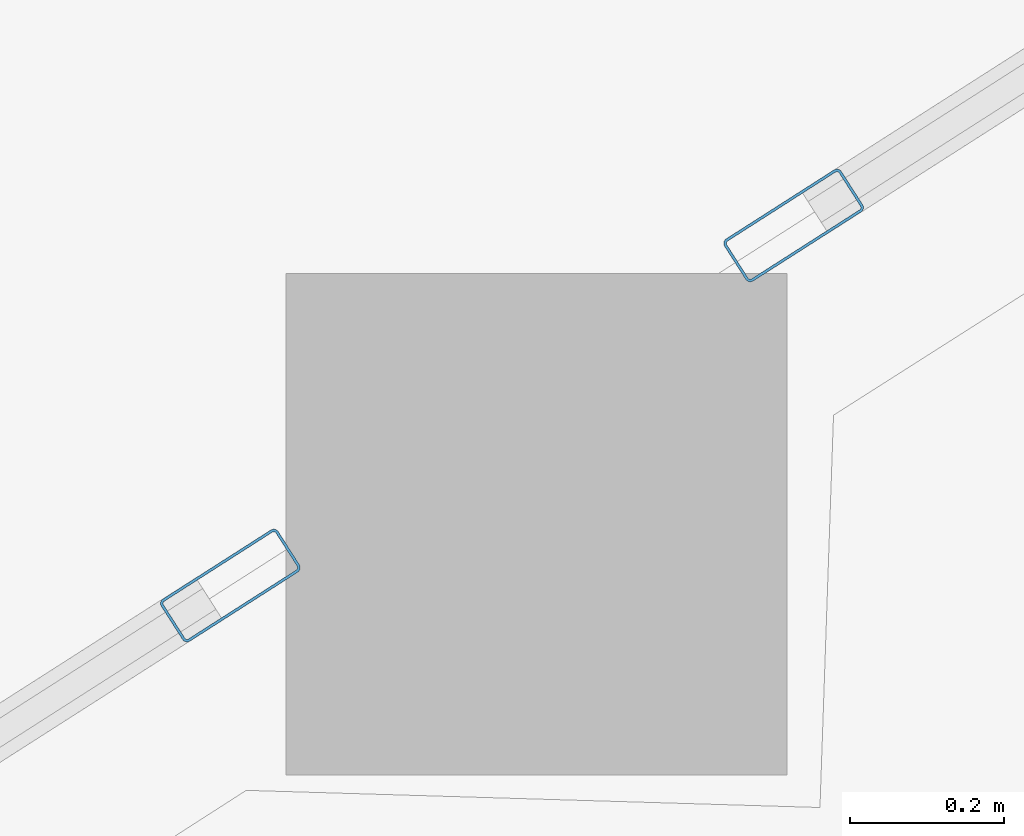
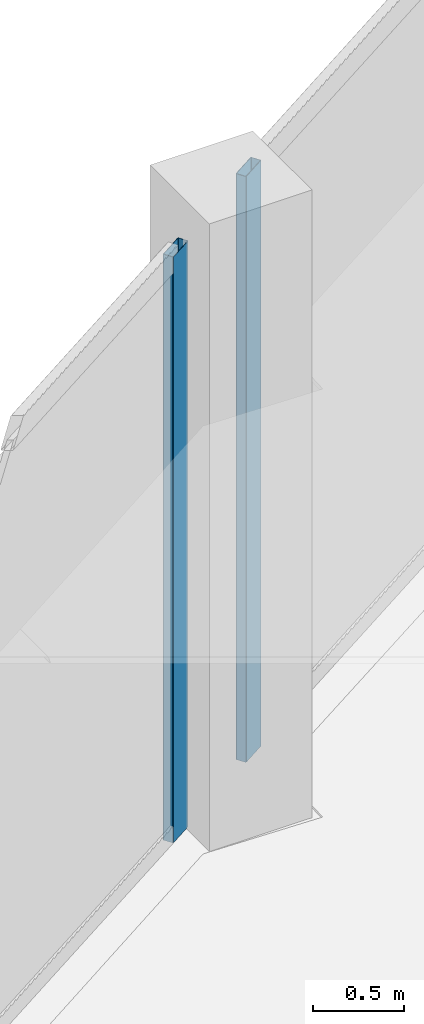
# One storey, part 16 of 44: 2 members, 2 elements without a shape of their own.
"""IFC4 building model written with IfcOpenShell, lengths in metres."""

from ifc_helpers import new_model, si_unit, direction, frame, origin, origin_2d, place, context, subcontext, project, spatial, hollow_rectangle, extrude, material, layer, layer_set, material_profile, profile_set, type_object, element, aggregate, save


model = new_model("IFC4")

# Units and contexts
model_context = context("Model", 3, precision=1e-05, world=origin(), true_north=direction((0.0, 1.0)))
body_context = subcontext(model_context, "Body", "Model", "MODEL_VIEW")
ifc_project = project(units=[si_unit("LENGTHUNIT", "METRE"), si_unit("AREAUNIT", "SQUARE_METRE"), si_unit("VOLUMEUNIT", "CUBIC_METRE"), si_unit("PLANEANGLEUNIT", "RADIAN"), si_unit("MASSUNIT", "GRAM", prefix="KILO")], contexts=[model_context])

# Site, building, storey
site_placement = place(None, origin())
site = spatial("IfcSite", under=ifc_project, at=site_placement, CompositionType="ELEMENT")
building_placement = place(site_placement, origin())
building = spatial("IfcBuilding", under=site, at=building_placement, Name="Qorvath Tower", CompositionType="ELEMENT")
storey_placement = place(building_placement, frame((0.0, 0.0, 45.0)))
storey = spatial("IfcBuildingStorey", under=building, at=storey_placement, Name="L09", CompositionType="ELEMENT", Elevation=45.0)

# Curtain wall, member
ifc_material_1 = material(Name="Anodised aluminium and triple low-E glass", Category="aluminium")
ifc_layer = layer(ifc_material_1, 0.179931640625)
ifc_layer_set = layer_set([ifc_layer], Name="CW-SYS-2")
curtain_wall_type = type_object("IfcCurtainWallType", Name="CW-SYS-2", PredefinedType="NOTDEFINED", material=ifc_layer_set)
curtain_wall_1_placement = place(storey_placement, origin())
curtain_wall_1 = element("IfcCurtainWall", 1, at=curtain_wall_1_placement, inside=storey, type_object=curtain_wall_type, Name="Curtain Wall CW-2 CW-T-L09-16.2", PredefinedType="NOTDEFINED")
ifc_material_2 = material(Name="Anodised aluminium 6063-T6", Category="aluminium")
ifc_material_profile = material_profile(ifc_material_2, hollow_rectangle(XDim=0.06494140625, YDim=0.179931640625, WallThickness=0.00341796875, InnerFilletRadius=0.00341796875, OuterFilletRadius=0.007080078125, at=origin_2d()), Name="CWM 180x65")
ifc_profile_set = profile_set([ifc_material_profile], Name="Anodised aluminium 6063-T6")
member_type = type_object("IfcMemberType", Name="CWM-180", PredefinedType="MULLION", material=ifc_profile_set)
member_1_placement = place(storey_placement, frame((-39.999267578125, 17.34326171875, 0.0), z_axis=(0.0, 0.0, 1.0), x_axis=(0.538541095387, -0.842599245537, 0.0)))
member_1 = element("IfcMember", 2, at=member_1_placement, type_object=member_type, Name="CW-2 mullion 5", PredefinedType="MULLION", context=body_context, shape_type="SweptSolid", body=[
    extrude(hollow_rectangle(XDim=0.06494140625, YDim=0.179931640625, WallThickness=0.00341796875, InnerFilletRadius=0.00341796875, OuterFilletRadius=0.007080078125, at=origin_2d()), origin(), (0.0, 0.0, 1.0), 3.919921875),
])
aggregate(curtain_wall_1, [member_1])

curtain_wall_2_placement = place(storey_placement, origin())
curtain_wall_2 = element("IfcCurtainWall", 3, at=curtain_wall_2_placement, inside=storey, type_object=curtain_wall_type, Name="Curtain Wall CW-2 CW-T-L09-16.3", PredefinedType="NOTDEFINED")
member_2_placement = place(storey_placement, frame((-40.729736328125, 16.876220703125, 0.0), z_axis=(0.0, 0.0, 1.0), x_axis=(0.538531853978, -0.842605152044, 0.0)))
member_2 = element("IfcMember", 4, at=member_2_placement, type_object=member_type, Name="CW-2 mullion 1", PredefinedType="MULLION", context=body_context, shape_type="SweptSolid", body=[
    extrude(hollow_rectangle(XDim=0.06494140625, YDim=0.179931640625, WallThickness=0.00341796875, InnerFilletRadius=0.00341796875, OuterFilletRadius=0.007080078125, at=origin_2d()), origin(), (0.0, 0.0, 1.0), 3.919921875),
])
aggregate(curtain_wall_2, [member_2])

save(model, "model.ifc")
